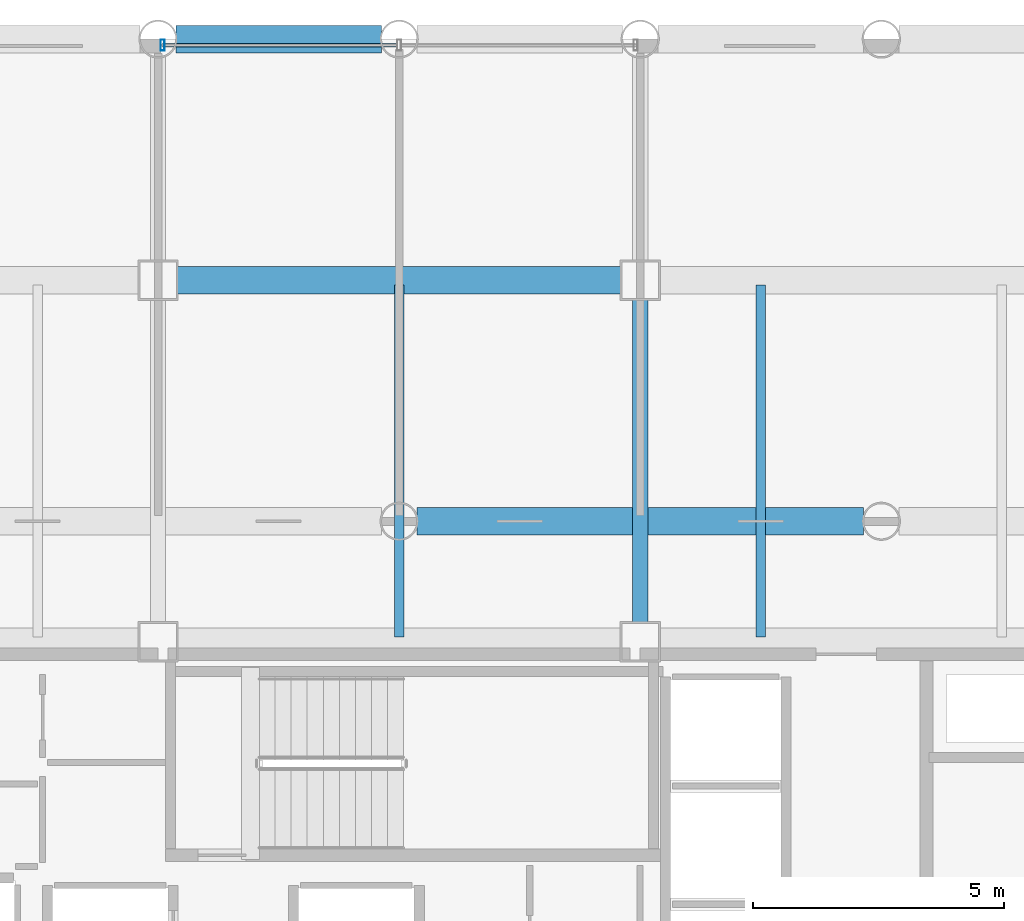
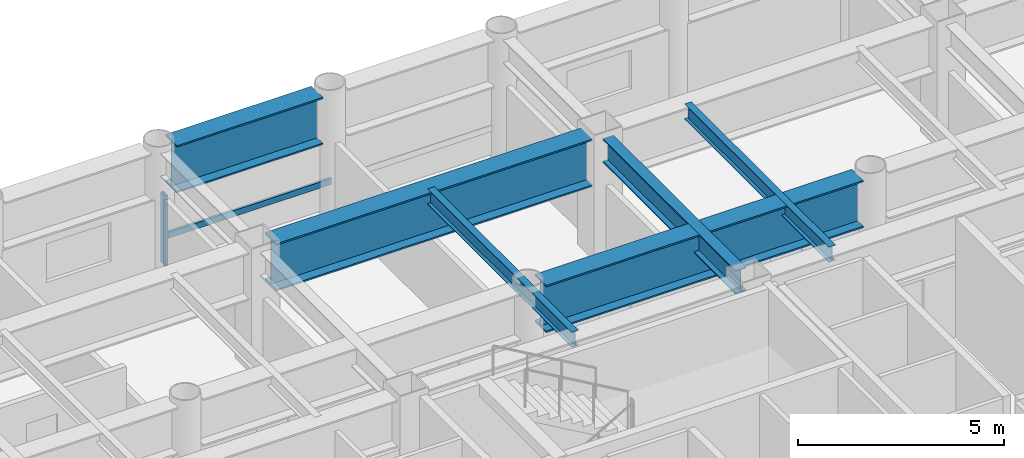
# One storey, part 14 of 26: 6 beams, 2 members, 1 element without a shape of its own.
"""IFC4 building model written with IfcOpenShell, lengths in metres."""

from ifc_helpers import new_model, si_unit, direction, frame, origin, origin_2d, place, context, subcontext, project, spatial, hollow_rectangle, i_section, extrude, material, layer, layer_set, material_profile, profile_set, type_object, element, aggregate, save


model = new_model("IFC4")

# Units and contexts
model_context = context("Model", 3, precision=1e-05, world=origin(), true_north=direction((0.0, 1.0)))
body_context = subcontext(model_context, "Body", "Model", "MODEL_VIEW")
ifc_project = project(units=[si_unit("LENGTHUNIT", "METRE"), si_unit("AREAUNIT", "SQUARE_METRE"), si_unit("VOLUMEUNIT", "CUBIC_METRE"), si_unit("PLANEANGLEUNIT", "RADIAN"), si_unit("MASSUNIT", "GRAM", prefix="KILO")], contexts=[model_context])

# Site, building, storey
site_placement = place(None, origin())
site = spatial("IfcSite", under=ifc_project, at=site_placement, CompositionType="ELEMENT")
building_placement = place(site_placement, origin())
building = spatial("IfcBuilding", under=site, at=building_placement, Name="Kallvorn Hotel Tower", CompositionType="ELEMENT")
storey_placement = place(building_placement, frame((0.0, 0.0, 55.89990234375)))
storey = spatial("IfcBuildingStorey", under=building, at=storey_placement, Name="L12", CompositionType="ELEMENT", Elevation=55.89990234375)

# Beams
ifc_material_1 = material(Name="Structural steel S355JR", Category="steel")
ifc_material_profile_1 = material_profile(ifc_material_1, i_section(OverallWidth=0.300048828125, OverallDepth=0.699951171875, WebThickness=0.01708984375, FlangeThickness=0.031982421875, at=origin_2d()), Name="HE 700 B")
ifc_profile_set_1 = profile_set([ifc_material_profile_1], Name="Structural steel S355JR")
beam_type_1 = type_object("IfcBeamType", Name="BM_HE700B", PredefinedType="BEAM", material=ifc_profile_set_1)
beam_1_placement = place(storey_placement, frame((4.800048828125, 7.574951171875, 3.170166015625), z_axis=(0.0, 1.0, 0.0), x_axis=(-1.0, 0.0, 0.0)))
element("IfcBeam", 1, at=beam_1_placement, inside=storey, type_object=beam_type_1, Name="L13 Primary Y-Girder 126", PredefinedType="BEAM", context=body_context, shape_type="SweptSolid", body=[
    extrude(i_section(OverallWidth=0.300048828125, OverallDepth=0.699951171875, WebThickness=0.01708984375, FlangeThickness=0.031982421875, at=origin_2d()), origin(), (0.0, 0.0, 1.0), 6.449951171875),
])
ifc_material_2 = material(Name="Structural steel S355JR", Category="steel")
ifc_material_profile_2 = material_profile(ifc_material_2, i_section(OverallWidth=0.18994140625, OverallDepth=0.449951171875, WebThickness=0.009521484375, FlangeThickness=0.0146484375, at=origin_2d()), Name="IPE 450")
ifc_profile_set_2 = profile_set([ifc_material_profile_2], Name="Structural steel S355JR")
beam_type_2 = type_object("IfcBeamType", Name="BM_IPE450", PredefinedType="JOIST", material=ifc_profile_set_2)
for number, where, z_axis, x_axis, name in (
    (2, (0.0, 7.300048828125, 3.295166015625), (0.0, 1.0, 0.0), (-1.0, 0.0, 0.0), "L13 Secondary Composite Joist 210"),
    (3, (7.199951171875, 7.300048828125, 3.295166015625), (0.0, 1.0, 0.0), (-1.0, 0.0, 0.0), "L13 Secondary Composite Joist 212"),
):
    element("IfcBeam", number, at=place(storey_placement, frame(where, z_axis=z_axis, x_axis=x_axis)), inside=storey, type_object=beam_type_2, Name=name, PredefinedType="JOIST", context=body_context, shape_type="SweptSolid", body=[
        extrude(i_section(OverallWidth=0.18994140625, OverallDepth=0.449951171875, WebThickness=0.009521484375, FlangeThickness=0.0146484375, at=origin_2d()), origin(), (0.0, 0.0, 1.0), 7.0),
    ])
ifc_material_3 = material(Name="Structural steel S355JR", Category="steel")
ifc_material_profile_3 = material_profile(ifc_material_3, i_section(OverallWidth=0.550048828125, OverallDepth=1.39990234375, WebThickness=0.02490234375, FlangeThickness=0.044921875, at=origin_2d()), Name="PG 1400x550x25x45")
ifc_profile_set_3 = profile_set([ifc_material_profile_3], Name="Structural steel S355JR")
beam_type_3 = type_object("IfcBeamType", Name="BM_PG_1400", PredefinedType="BEAM", material=ifc_profile_set_3)
beam_2_placement = place(storey_placement, frame((0.35595703125, 9.60009765625, 2.820068359375), z_axis=(1.0, 0.0, 0.0), x_axis=(0.0, 1.0, 0.0)))
element("IfcBeam", 4, at=beam_2_placement, inside=storey, type_object=beam_type_3, Name="L13 Primary X-Girder 56", PredefinedType="BEAM", context=body_context, shape_type="SweptSolid", body=[
    extrude(i_section(OverallWidth=0.550048828125, OverallDepth=1.39990234375, WebThickness=0.02490234375, FlangeThickness=0.044921875, at=origin_2d()), origin(), (0.0, 0.0, 1.0), 8.887939453125),
])
beam_3_placement = place(storey_placement, frame((-4.425048828125, 14.39990234375, 2.820068359375), z_axis=(1.0, 0.0, 0.0), x_axis=(0.0, 1.0, 0.0)))
element("IfcBeam", 5, at=beam_3_placement, inside=storey, type_object=beam_type_3, Name="L13 Primary X-Girder 65", PredefinedType="BEAM", context=body_context, shape_type="SweptSolid", body=[
    extrude(i_section(OverallWidth=0.550048828125, OverallDepth=1.39990234375, WebThickness=0.02490234375, FlangeThickness=0.044921875, at=origin_2d()), origin(), (0.0, 0.0, 1.0), 8.85009765625),
])
beam_4_placement = place(storey_placement, frame((-4.444091796875, 19.199951171875, 2.820068359375), z_axis=(1.0, 0.0, 0.0), x_axis=(0.0, 1.0, 0.0)))
element("IfcBeam", 6, at=beam_4_placement, inside=storey, type_object=beam_type_3, Name="L13 Primary X-Girder 75", PredefinedType="BEAM", context=body_context, shape_type="SweptSolid", body=[
    extrude(i_section(OverallWidth=0.550048828125, OverallDepth=1.39990234375, WebThickness=0.02490234375, FlangeThickness=0.044921875, at=origin_2d()), origin(), (0.0, 0.0, 1.0), 4.088134765625),
])

# Curtain wall, members
ifc_material_4 = material(Name="Thermally broken black-anodised aluminium AA 6063-T6", Category="aluminium")
ifc_layer = layer(ifc_material_4, 0.199951171875)
ifc_layer_set = layer_set([ifc_layer], Name="CW_SYS_3_HOTEL_LOW")
curtain_wall_type = type_object("IfcCurtainWallType", Name="CW_SYS_3_HOTEL_LOW", PredefinedType="USERDEFINED", material=ifc_layer_set)
curtain_wall_placement = place(storey_placement, origin())
curtain_wall = element("IfcCurtainWall", 7, at=curtain_wall_placement, inside=storey, type_object=curtain_wall_type, Name="L12 Dark-Glass Curtain Wall CW-L12-NC", ObjectType="UNITISED CURTAIN WALL", PredefinedType="USERDEFINED")
ifc_material_5 = material(Name="Thermally broken black-anodised aluminium AA 6063-T6", Category="aluminium")
ifc_material_profile_4 = material_profile(ifc_material_5, hollow_rectangle(XDim=0.080078125, YDim=0.219970703125, WallThickness=0.0048828125, at=origin_2d()), Name="MUL 220x80")
ifc_profile_set_4 = profile_set([ifc_material_profile_4], Name="Thermally broken black-anodised aluminium AA 6063-T6")
member_type_1 = type_object("IfcMemberType", Name="CW_MULLION_220x80", PredefinedType="MULLION", material=ifc_profile_set_4)
member_1_placement = place(storey_placement, frame((-4.7099609375, 19.080078125, 0.02001953125), z_axis=(0.0, 0.0, 1.0), x_axis=(1.0, 0.0, 0.0)))
member_1 = element("IfcMember", 8, at=member_1_placement, type_object=member_type_1, Name="CW-L12-NC Mullion 00", PredefinedType="MULLION", context=body_context, shape_type="SweptSolid", body=[
    extrude(hollow_rectangle(XDim=0.080078125, YDim=0.219970703125, WallThickness=0.0048828125, at=origin_2d()), origin(), (0.0, 0.0, 1.0), 2.080078125),
])
ifc_material_6 = material(Name="Thermally broken black-anodised aluminium AA 6063-T6", Category="aluminium")
ifc_material_profile_5 = material_profile(ifc_material_6, hollow_rectangle(XDim=0.070068359375, YDim=0.179931640625, WallThickness=0.00390625, at=origin_2d()), Name="TRN 180x70")
ifc_profile_set_5 = profile_set([ifc_material_profile_5], Name="Thermally broken black-anodised aluminium AA 6063-T6")
member_type_2 = type_object("IfcMemberType", Name="CW_TRANSOM_180x70", PredefinedType="USERDEFINED", material=ifc_profile_set_5)
member_2_placement = place(storey_placement, frame((-4.7099609375, 19.080078125, 0.85009765625), z_axis=(1.0, 0.0, 0.0), x_axis=(0.0, 1.0, 0.0)))
member_2 = element("IfcMember", 9, at=member_2_placement, type_object=member_type_2, Name="CW-L12-NC Transom 00M", ObjectType="TRANSOM", PredefinedType="USERDEFINED", context=body_context, shape_type="SweptSolid", body=[
    extrude(hollow_rectangle(XDim=0.070068359375, YDim=0.179931640625, WallThickness=0.00390625, at=origin_2d()), origin(), (0.0, 0.0, 1.0), 4.669921875),
])
aggregate(curtain_wall, [member_1, member_2])

save(model, "model.ifc")
